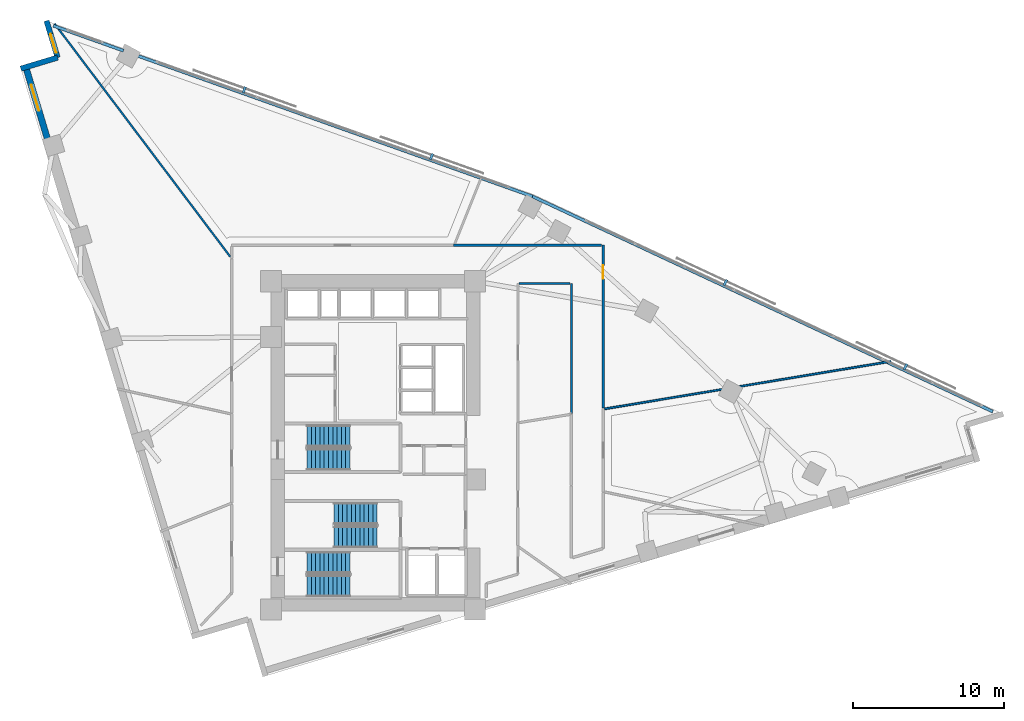
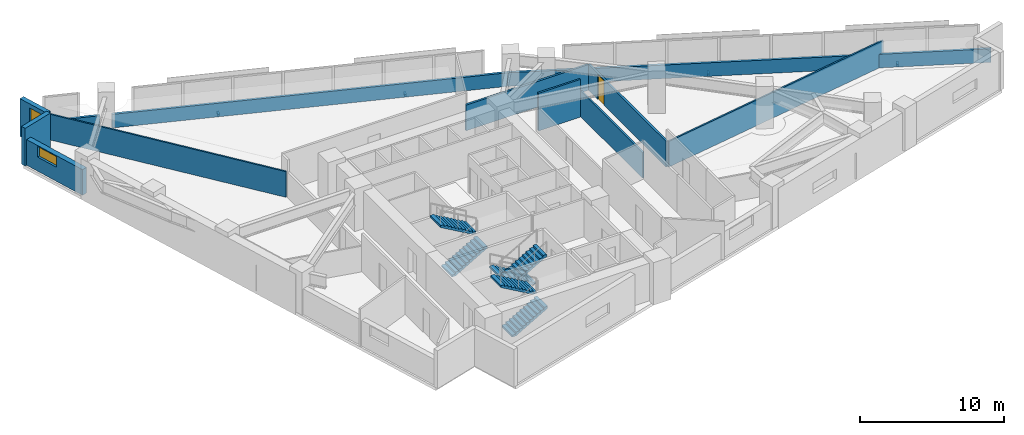
# One storey, part 12 of 14: 12 walls, 6 stair flights, 4 discrete accessories, 2 windows, 1 door, 3 openings, 3 elements without a shape of their own.
"""IFC4 building model written with IfcOpenShell, lengths in metres."""

from ifc_helpers import new_model, si_unit, direction, frame, frame_2d, origin, origin_2d, place, context, subcontext, project, spatial, polyline, rectangle, outline, extrude, material, layer, layer_set, type_object, element, fill, aggregate, save


model = new_model("IFC4")

# Units and contexts
model_context = context("Model", 3, precision=1e-05, world=origin(), true_north=direction((0.0, 1.0)))
body_context = subcontext(model_context, "Body", "Model", "MODEL_VIEW")
ifc_project = project(units=[si_unit("LENGTHUNIT", "METRE"), si_unit("AREAUNIT", "SQUARE_METRE"), si_unit("VOLUMEUNIT", "CUBIC_METRE"), si_unit("PLANEANGLEUNIT", "RADIAN"), si_unit("MASSUNIT", "GRAM", prefix="KILO")], contexts=[model_context])

# Site, building, storey
site_placement = place(None, origin())
site = spatial("IfcSite", under=ifc_project, at=site_placement, CompositionType="ELEMENT")
building_placement = place(site_placement, origin())
building = spatial("IfcBuilding", under=site, at=building_placement, Name="Narakoshi Arena Tower", CompositionType="ELEMENT")
storey_placement = place(building_placement, frame((0.0, 0.0, 161.10009765625)))
storey = spatial("IfcBuildingStorey", under=building, at=storey_placement, Name="L43", CompositionType="ELEMENT", Elevation=161.10009765625)

# Wall, opening, door
ifc_material_1 = material(Name="Gypsum plasterboard fire-rated partition")
ifc_layer_1 = layer(ifc_material_1, 0.1650390625)
ifc_layer_set_1 = layer_set([ifc_layer_1], Name="Gypsum plasterboard fire-rated partition")
wall_type_1 = type_object("IfcWallType", Name="WL-CORR-165", PredefinedType="PARTITIONING", material=ifc_layer_set_1)
wall_1_placement = place(storey_placement, frame((94.050048828125, 48.068603515625, 0.0), z_axis=(0.0, 0.0, 1.0), x_axis=(0.0, 1.0, 0.0)))
wall_1 = element("IfcWall", 1, at=wall_1_placement, inside=storey, type_object=wall_type_1, Name="L43 Corridor Partition 06-1", PredefinedType="PARTITIONING", context=body_context, shape_type="SweptSolid", body=[
    extrude(rectangle(XDim=10.831298828125, YDim=0.1650390625, at=frame_2d((5.41552734375, 0.0))), origin(), (0.0, 0.0, 1.0), 2.177001953125),
])
opening_1_placement = place(wall_1_placement, frame((8.587646484375, 0.0, 0.0)))
opening_1 = element("IfcOpeningElement", 2, at=opening_1_placement, cuts=wall_1, Name="Opening D-08", PredefinedType="OPENING", context=body_context, shape_type="SweptSolid", body=[
    extrude(rectangle(XDim=0.89990234375, YDim=2.10009765625, at=frame_2d((0.449951171875, 1.050048828125))), frame((0.0, 0.092529296875, 0.0), z_axis=(0.0, -1.0, 0.0), x_axis=(1.0, 0.0, 0.0)), (0.0, 0.0, 1.0), 0.18505859375),
])
ifc_material_2 = material(Name="Moisture-resistant laminate timber", Category="wood")
door_type = type_object("IfcDoorType", Name="DR-WC-900", OperationType="NOTDEFINED", PredefinedType="DOOR", material=ifc_material_2)
door_placement = place(opening_1_placement, frame((0.89990234375, 0.0, 0.0), z_axis=(0.0, 0.0, 1.0), x_axis=(-1.0, 0.0, 0.0)))
door = element("IfcDoor", 3, at=door_placement, inside=storey, type_object=door_type, Name="DR-L43-020", OperationType="SINGLE_SWING_RIGHT", OverallHeight=2.10009765625, OverallWidth=0.89990234375, PredefinedType="DOOR", context=body_context, shape_type="SweptSolid", body=[
    extrude(rectangle(XDim=0.89990234375, YDim=2.10009765625, at=frame_2d((0.449951171875, 1.050048828125))), frame((0.0, 0.02490234375, 0.0), z_axis=(0.0, -1.0, 0.0), x_axis=(1.0, 0.0, 0.0)), (0.0, 0.0, 1.0), 0.050048828125),
])
fill(opening_1, door)

# Walls
wall_2_placement = place(storey_placement, frame((93.95556640625, 58.89990234375, 0.0), z_axis=(0.0, 0.0, 1.0), x_axis=(-1.0, 0.0, 0.0)))
element("IfcWall", 4, at=wall_2_placement, inside=storey, type_object=wall_type_1, Name="L43 Corridor Partition 06-2", PredefinedType="PARTITIONING", context=body_context, shape_type="SweptSolid", body=[
    extrude(rectangle(XDim=9.8173828125, YDim=0.1650390625, at=frame_2d((4.90869140625, 0.0))), origin(), (0.0, 0.0, 1.0), 2.177001953125),
])
ifc_material_3 = material(Name="Precast concrete C45/55", Category="concrete")
ifc_layer_2 = layer(ifc_material_3, 0.25)
ifc_layer_set_2 = layer_set([ifc_layer_2], Name="Precast concrete C45/55")
wall_type_2 = type_object("IfcWallType", Name="WL-PARA-250", PredefinedType="PARAPET", material=ifc_layer_set_2)
wall_3_placement = place(storey_placement, frame((119.92578125, 47.843017578125, 0.0), z_axis=(0.0, 0.0, 1.0), x_axis=(-0.905880730846, 0.423532881228, 0.0)))
element("IfcWall", 5, at=wall_3_placement, inside=storey, type_object=wall_type_2, Name="L43 Hypotenuse Sill Upstand Parapet 1-01", PredefinedType="PARAPET", context=body_context, shape_type="SweptSolid", body=[
    extrude(rectangle(XDim=33.74755859375, YDim=0.199951171875, at=frame_2d((16.873779296875, 0.0))), origin(), (0.0, 0.0, 1.0), 1.14990234375),
])
wall_4_placement = place(storey_placement, frame((89.368408203125, 62.13037109375, 0.0), z_axis=(0.0, 0.0, 1.0), x_axis=(-0.942033439765, 0.335518998515, 0.0)))
element("IfcWall", 6, at=wall_4_placement, inside=storey, type_object=wall_type_2, Name="L43 Hypotenuse Sill Upstand Parapet 2-01", PredefinedType="PARAPET", context=body_context, shape_type="SweptSolid", body=[
    extrude(rectangle(XDim=27.969482421875, YDim=0.199951171875, at=frame_2d((13.98486328125, 0.0))), origin(), (0.0, 0.0, 1.0), 1.14990234375),
])
wall_5_placement = place(storey_placement, frame((62.2177734375, 71.800537109375, 0.0), z_axis=(0.0, 0.0, 1.0), x_axis=(-0.942038862895, 0.335503771655, 0.0)))
element("IfcWall", 7, at=wall_5_placement, inside=storey, type_object=wall_type_2, Name="L43 Hypotenuse Sill Upstand Parapet 2-02", PredefinedType="PARAPET", context=body_context, shape_type="SweptSolid", body=[
    extrude(rectangle(XDim=4.941650390625, YDim=0.199951171875, at=frame_2d((2.470703125, 0.0))), origin(), (0.0, 0.0, 1.0), 1.14990234375),
])
ifc_layer_3 = layer(ifc_material_1, 0.125)
ifc_layer_set_3 = layer_set([ifc_layer_3], Name="Gypsum plasterboard fire-rated partition")
wall_type_3 = type_object("IfcWallType", Name="WL-PART-125", PredefinedType="PARTITIONING", material=ifc_layer_set_3)
wall_6_placement = place(storey_placement, frame((94.14453125, 48.024169921875, 0.0), z_axis=(0.0, 0.0, 1.0), x_axis=(0.986512758229, 0.163684384875, 0.0)))
element("IfcWall", 8, at=wall_6_placement, inside=storey, type_object=wall_type_3, Name="L43 Inter-Room Partition 04-06", PredefinedType="PARTITIONING", context=body_context, shape_type="SweptSolid", body=[
    extrude(rectangle(XDim=19.281005859375, YDim=0.125, at=frame_2d((9.640625, 0.0))), origin(), (0.0, 0.0, 1.0), 2.177001953125),
])
wall_7_placement = place(storey_placement, frame((69.305419921875, 58.126220703125, 0.0), z_axis=(0.0, 0.0, 1.0), x_axis=(-0.601965515185, 0.798522083933, 0.0)))
element("IfcWall", 9, at=wall_7_placement, inside=storey, type_object=wall_type_3, Name="L43 Inter-Room Partition 08-09", PredefinedType="PARTITIONING", context=body_context, shape_type="SweptSolid", body=[
    extrude(rectangle(XDim=19.379150390625, YDim=0.125, at=frame_2d((9.689453125, 0.0))), origin(), (0.0, 0.0, 1.0), 2.177001953125),
])

# Wall, opening, window
ifc_layer_4 = layer(ifc_material_3, 0.419921875)
ifc_layer_set_4 = layer_set([ifc_layer_4], Name="Precast concrete C45/55")
wall_type_4 = type_object("IfcWallType", Name="WL-POD-420", PredefinedType="SOLIDWALL", material=ifc_layer_set_4)
wall_8_placement = place(storey_placement, frame((55.734130859375, 70.71142578125, 0.0), z_axis=(0.0, 0.0, 1.0), x_axis=(0.288221590884, -0.957563739157, 0.0)))
wall_8 = element("IfcWall", 10, at=wall_8_placement, inside=storey, type_object=wall_type_4, Name="L43 Architectural Concrete Facade Wall LEGB-1", PredefinedType="SOLIDWALL", context=body_context, shape_type="SweptSolid", body=[
    extrude(rectangle(XDim=5.510986328125, YDim=0.419921875, at=frame_2d((2.75537109375, 0.0))), origin(), (0.0, 0.0, 1.0), 2.177001953125),
])
opening_2_placement = place(wall_8_placement, frame((1.223388671875, 0.0, 1.197021484375)))
opening_2 = element("IfcOpeningElement", 11, at=opening_2_placement, cuts=wall_8, Name="Opening WN-02", PredefinedType="OPENING", context=body_context, shape_type="SweptSolid", body=[
    extrude(rectangle(XDim=1.800048828125, YDim=0.89990234375, at=frame_2d((0.89990234375, 0.449951171875))), frame((0.0, 0.219970703125, 0.0), z_axis=(0.0, -1.0, 0.0), x_axis=(1.0, 0.0, 0.0)), (0.0, 0.0, 1.0), 0.43994140625),
])
ifc_material_4 = material(Name="Bronze-tinted low-E laminated glass", Category="glass")
window_type_1 = type_object("IfcWindowType", Name="WIN-SLT-18x09", PartitioningType="SINGLE_PANEL", PredefinedType="WINDOW", material=ifc_material_4)
window_1_placement = place(opening_2_placement, origin())
window_1 = element("IfcWindow", 12, at=window_1_placement, inside=storey, type_object=window_type_1, Name="L43 LEGB1 Horizontal Slot Window 1", OverallHeight=0.89990234375, OverallWidth=1.800048828125, PartitioningType="SINGLE_PANEL", PredefinedType="WINDOW", context=body_context, shape_type="SweptSolid", body=[
    extrude(rectangle(XDim=1.800048828125, YDim=0.89990234375, at=frame_2d((0.89990234375, 0.449951171875))), frame((0.0, 0.030029296875, 0.0), z_axis=(0.0, -1.0, 0.0), x_axis=(1.0, 0.0, 0.0)), (0.0, 0.0, 1.0), 0.06005859375),
])
fill(opening_2, window_1)

wall_9_placement = place(storey_placement, frame((57.107666015625, 73.790283203125, 0.0), z_axis=(0.0, 0.0, 1.0), x_axis=(0.288198985694, -0.957570542908, 0.0)))
wall_9 = element("IfcWall", 13, at=wall_9_placement, inside=storey, type_object=wall_type_4, Name="L43 Re-Entrant Corner Notch Wall NTN-1", PredefinedType="SOLIDWALL", context=body_context, shape_type="SweptSolid", body=[
    extrude(rectangle(XDim=2.552490234375, YDim=0.360107421875, at=frame_2d((1.2763671875, 0.0))), origin(), (0.0, 0.0, 1.0), 3.199951171875),
])
opening_3_placement = place(wall_9_placement, frame((0.91259765625, 0.0, 0.449951171875)))
opening_3 = element("IfcOpeningElement", 14, at=opening_3_placement, cuts=wall_9, Name="Opening WN-06", PredefinedType="OPENING", context=body_context, shape_type="SweptSolid", body=[
    extrude(rectangle(XDim=1.300048828125, YDim=2.39990234375, at=frame_2d((0.64990234375, 1.199951171875))), frame((0.0, 0.18994140625, 0.0), z_axis=(0.0, -1.0, 0.0), x_axis=(1.0, 0.0, 0.0)), (0.0, 0.0, 1.0), 0.380126953125),
])
window_type_2 = type_object("IfcWindowType", Name="WIN-NTC-16x24", PartitioningType="SINGLE_PANEL", PredefinedType="WINDOW", material=ifc_material_4)
window_2_placement = place(opening_3_placement, origin())
window_2 = element("IfcWindow", 15, at=window_2_placement, inside=storey, type_object=window_type_2, Name="L43 Corner Notch Window NTN", OverallHeight=2.39990234375, OverallWidth=1.300048828125, PartitioningType="SINGLE_PANEL", PredefinedType="WINDOW", context=body_context, shape_type="SweptSolid", body=[
    extrude(rectangle(XDim=1.300048828125, YDim=2.39990234375, at=frame_2d((0.64990234375, 1.199951171875))), frame((0.0, 0.030029296875, 0.0), z_axis=(0.0, -1.0, 0.0), x_axis=(1.0, 0.0, 0.0)), (0.0, 0.0, 1.0), 0.06005859375),
])
fill(opening_3, window_2)

# Walls
wall_10_placement = place(storey_placement, frame((57.84326171875, 71.34619140625, 0.0), z_axis=(0.0, 0.0, 1.0), x_axis=(-0.95757848653, -0.288172590882, 0.0)))
element("IfcWall", 16, at=wall_10_placement, inside=storey, type_object=wall_type_4, Name="L43 Re-Entrant Corner Notch Wall NTN-2", PredefinedType="SOLIDWALL", context=body_context, shape_type="SweptSolid", body=[
    extrude(rectangle(XDim=2.552734375, YDim=0.360107421875, at=frame_2d((1.2763671875, 0.0))), origin(), (0.0, 0.0, 1.0), 3.199951171875),
])
ifc_material_5 = material(Name="Moisture-resistant cement-board partition")
ifc_layer_5 = layer(ifc_material_5, 0.14501953125)
ifc_layer_set_5 = layer_set([ifc_layer_5], Name="Moisture-resistant cement-board partition")
wall_type_5 = type_object("IfcWallType", Name="WL-WET-145", PredefinedType="PARTITIONING", material=ifc_layer_set_5)
wall_11_placement = place(storey_placement, frame((91.949951171875, 56.35009765625, 0.0), z_axis=(0.0, 0.0, 1.0), x_axis=(0.0, -1.0, 0.0)))
element("IfcWall", 17, at=wall_11_placement, inside=storey, type_object=wall_type_5, Name="L43 Corridor Partition 07-2", PredefinedType="PARTITIONING", context=body_context, shape_type="SweptSolid", body=[
    extrude(rectangle(XDim=8.619873046875, YDim=0.14501953125, at=frame_2d((4.31005859375, 0.0))), origin(), (0.0, 0.0, 1.0), 2.177001953125),
])
wall_12_placement = place(storey_placement, frame((88.484619140625, 56.35009765625, 0.0), z_axis=(0.0, 0.0, 1.0), x_axis=(1.0, 0.0, 0.0)))
element("IfcWall", 18, at=wall_12_placement, inside=storey, type_object=wall_type_5, Name="L43 Corridor Partition 07-3", PredefinedType="PARTITIONING", context=body_context, shape_type="SweptSolid", body=[
    extrude(rectangle(XDim=3.380859375, YDim=0.14501953125, at=frame_2d((1.6904296875, 0.0))), origin(), (0.0, 0.0, 1.0), 3.199951171875),
])

# Stair, stair flights
ifc_material_6 = material(Name="Concrete C45/55", Category="concrete")
stair_type = type_object("IfcStairType", Name="STR-CORE-360", PredefinedType="TWO_STRAIGHT_RUN_STAIR", material=ifc_material_6)
stair_1_placement = place(storey_placement, origin())
stair_1 = element("IfcStair", 19, at=stair_1_placement, inside=storey, type_object=stair_type, Name="L43 Core Escape Stair ST1", PredefinedType="TWO_STRAIGHT_RUN_STAIR")
stair_flight_type = type_object("IfcStairFlightType", Name="FLT-145-160", PredefinedType="STRAIGHT", material=ifc_material_3)
stair_flight_1_placement = place(storey_placement, frame((74.39990234375, 36.27490234375, 0.0), z_axis=(0.0, 0.0, 1.0), x_axis=(1.0, 0.0, 0.0)))
stair_flight_1 = element("IfcStairFlight", 20, at=stair_flight_1_placement, type_object=stair_flight_type, Name="ST1 flight 1", NumberOfRisers=11, NumberOfTreads=10, PredefinedType="STRAIGHT", RiserHeight=0.163636364, TreadLength=0.285, context=body_context, shape_type="SweptSolid", body=[
    extrude(outline(polyline([(0.0, 0.0), (0.0, 0.16357421875), (0.284912109375, 0.16357421875), (0.284912109375, 0.327392578125), (0.570068359375, 0.327392578125), (0.570068359375, 0.490966796875), (0.85498046875, 0.490966796875), (0.85498046875, 0.654541015625), (1.139892578125, 0.654541015625), (1.139892578125, 0.818115234375), (1.425048828125, 0.818115234375), (1.425048828125, 0.98193359375), (1.7099609375, 0.98193359375), (1.7099609375, 1.1455078125), (1.9951171875, 1.1455078125), (1.9951171875, 1.30908203125), (2.280029296875, 1.30908203125), (2.280029296875, 1.47265625), (2.56494140625, 1.47265625), (2.56494140625, 1.636474609375), (2.85009765625, 1.636474609375), (2.85009765625, 1.800048828125), (2.85009765625, 1.463623046875), (0.301025390625, 0.0), (0.0, 0.0)])), frame((0.0, 0.72509765625, 0.0), z_axis=(0.0, -1.0, 0.0), x_axis=(1.0, 0.0, 0.0)), (0.0, 0.0, 1.0), 1.449951171875),
])
stair_flight_2_placement = place(storey_placement, frame((77.25, 37.824951171875, 1.7998046875), z_axis=(0.0, 0.0, 1.0), x_axis=(-1.0, 0.0, 0.0)))
stair_flight_2 = element("IfcStairFlight", 21, at=stair_flight_2_placement, type_object=stair_flight_type, Name="ST1 flight 2", NumberOfRisers=11, NumberOfTreads=10, PredefinedType="STRAIGHT", RiserHeight=0.163636364, TreadLength=0.285, context=body_context, shape_type="SweptSolid", body=[
    extrude(outline(polyline([(0.0, 0.0), (0.0, 0.16357421875), (0.284912109375, 0.16357421875), (0.284912109375, 0.327392578125), (0.570068359375, 0.327392578125), (0.570068359375, 0.490966796875), (0.85498046875, 0.490966796875), (0.85498046875, 0.654541015625), (1.139892578125, 0.654541015625), (1.139892578125, 0.818115234375), (1.425048828125, 0.818115234375), (1.425048828125, 0.98193359375), (1.7099609375, 0.98193359375), (1.7099609375, 1.1455078125), (1.9951171875, 1.1455078125), (1.9951171875, 1.30908203125), (2.280029296875, 1.30908203125), (2.280029296875, 1.47265625), (2.56494140625, 1.47265625), (2.56494140625, 1.636474609375), (2.85009765625, 1.636474609375), (2.85009765625, 1.800048828125), (2.85009765625, 1.463623046875), (0.301025390625, 0.0), (0.0, 0.0)])), frame((0.0, 0.72509765625, 0.0), z_axis=(0.0, -1.0, 0.0), x_axis=(1.0, 0.0, 0.0)), (0.0, 0.0, 1.0), 1.449951171875),
])
aggregate(stair_1, [stair_flight_1, stair_flight_2])

stair_2_placement = place(storey_placement, origin())
stair_2 = element("IfcStair", 22, at=stair_2_placement, inside=storey, type_object=stair_type, Name="L43 Core Escape Stair ST2", PredefinedType="TWO_STRAIGHT_RUN_STAIR")
stair_flight_3_placement = place(storey_placement, frame((79.050048828125, 41.074951171875, 0.0), z_axis=(0.0, 0.0, 1.0), x_axis=(-1.0, 0.0, 0.0)))
stair_flight_3 = element("IfcStairFlight", 23, at=stair_flight_3_placement, type_object=stair_flight_type, Name="ST2 flight 1", NumberOfRisers=11, NumberOfTreads=10, PredefinedType="STRAIGHT", RiserHeight=0.163636364, TreadLength=0.285, context=body_context, shape_type="SweptSolid", body=[
    extrude(outline(polyline([(0.0, 0.0), (0.0, 0.16357421875), (0.284912109375, 0.16357421875), (0.284912109375, 0.327392578125), (0.570068359375, 0.327392578125), (0.570068359375, 0.490966796875), (0.85498046875, 0.490966796875), (0.85498046875, 0.654541015625), (1.139892578125, 0.654541015625), (1.139892578125, 0.818115234375), (1.425048828125, 0.818115234375), (1.425048828125, 0.98193359375), (1.7099609375, 0.98193359375), (1.7099609375, 1.1455078125), (1.9951171875, 1.1455078125), (1.9951171875, 1.30908203125), (2.280029296875, 1.30908203125), (2.280029296875, 1.47265625), (2.56494140625, 1.47265625), (2.56494140625, 1.636474609375), (2.85009765625, 1.636474609375), (2.85009765625, 1.800048828125), (2.85009765625, 1.463623046875), (0.301025390625, 0.0), (0.0, 0.0)])), frame((0.0, 0.72509765625, 0.0), z_axis=(0.0, -1.0, 0.0), x_axis=(1.0, 0.0, 0.0)), (0.0, 0.0, 1.0), 1.449951171875),
])
stair_flight_4_placement = place(storey_placement, frame((76.199951171875, 39.52490234375, 1.7998046875), z_axis=(0.0, 0.0, 1.0), x_axis=(1.0, 0.0, 0.0)))
stair_flight_4 = element("IfcStairFlight", 24, at=stair_flight_4_placement, type_object=stair_flight_type, Name="ST2 flight 2", NumberOfRisers=11, NumberOfTreads=10, PredefinedType="STRAIGHT", RiserHeight=0.163636364, TreadLength=0.285, context=body_context, shape_type="SweptSolid", body=[
    extrude(outline(polyline([(0.0, 0.0), (0.0, 0.16357421875), (0.284912109375, 0.16357421875), (0.284912109375, 0.327392578125), (0.570068359375, 0.327392578125), (0.570068359375, 0.490966796875), (0.85498046875, 0.490966796875), (0.85498046875, 0.654541015625), (1.139892578125, 0.654541015625), (1.139892578125, 0.818115234375), (1.425048828125, 0.818115234375), (1.425048828125, 0.98193359375), (1.7099609375, 0.98193359375), (1.7099609375, 1.1455078125), (1.9951171875, 1.1455078125), (1.9951171875, 1.30908203125), (2.280029296875, 1.30908203125), (2.280029296875, 1.47265625), (2.56494140625, 1.47265625), (2.56494140625, 1.636474609375), (2.85009765625, 1.636474609375), (2.85009765625, 1.800048828125), (2.85009765625, 1.463623046875), (0.301025390625, 0.0), (0.0, 0.0)])), frame((0.0, 0.72509765625, 0.0), z_axis=(0.0, -1.0, 0.0), x_axis=(1.0, 0.0, 0.0)), (0.0, 0.0, 1.0), 1.449951171875),
])
aggregate(stair_2, [stair_flight_3, stair_flight_4])

stair_3_placement = place(storey_placement, origin())
stair_3 = element("IfcStair", 25, at=stair_3_placement, inside=storey, type_object=stair_type, Name="L43 Core Escape Stair ST3", PredefinedType="TWO_STRAIGHT_RUN_STAIR")
stair_flight_5_placement = place(storey_placement, frame((74.39990234375, 44.675048828125, 0.0), z_axis=(0.0, 0.0, 1.0), x_axis=(1.0, 0.0, 0.0)))
stair_flight_5 = element("IfcStairFlight", 26, at=stair_flight_5_placement, type_object=stair_flight_type, Name="ST3 flight 1", NumberOfRisers=11, NumberOfTreads=10, PredefinedType="STRAIGHT", RiserHeight=0.163636364, TreadLength=0.285, context=body_context, shape_type="SweptSolid", body=[
    extrude(outline(polyline([(0.0, 0.0), (0.0, 0.16357421875), (0.284912109375, 0.16357421875), (0.284912109375, 0.327392578125), (0.570068359375, 0.327392578125), (0.570068359375, 0.490966796875), (0.85498046875, 0.490966796875), (0.85498046875, 0.654541015625), (1.139892578125, 0.654541015625), (1.139892578125, 0.818115234375), (1.425048828125, 0.818115234375), (1.425048828125, 0.98193359375), (1.7099609375, 0.98193359375), (1.7099609375, 1.1455078125), (1.9951171875, 1.1455078125), (1.9951171875, 1.30908203125), (2.280029296875, 1.30908203125), (2.280029296875, 1.47265625), (2.56494140625, 1.47265625), (2.56494140625, 1.636474609375), (2.85009765625, 1.636474609375), (2.85009765625, 1.800048828125), (2.85009765625, 1.463623046875), (0.301025390625, 0.0), (0.0, 0.0)])), frame((0.0, 0.72509765625, 0.0), z_axis=(0.0, -1.0, 0.0), x_axis=(1.0, 0.0, 0.0)), (0.0, 0.0, 1.0), 1.449951171875),
])
stair_flight_6_placement = place(storey_placement, frame((77.25, 46.22509765625, 1.7998046875), z_axis=(0.0, 0.0, 1.0), x_axis=(-1.0, 0.0, 0.0)))
stair_flight_6 = element("IfcStairFlight", 27, at=stair_flight_6_placement, type_object=stair_flight_type, Name="ST3 flight 2", NumberOfRisers=11, NumberOfTreads=10, PredefinedType="STRAIGHT", RiserHeight=0.163636364, TreadLength=0.285, context=body_context, shape_type="SweptSolid", body=[
    extrude(outline(polyline([(0.0, 0.0), (0.0, 0.16357421875), (0.284912109375, 0.16357421875), (0.284912109375, 0.327392578125), (0.570068359375, 0.327392578125), (0.570068359375, 0.490966796875), (0.85498046875, 0.490966796875), (0.85498046875, 0.654541015625), (1.139892578125, 0.654541015625), (1.139892578125, 0.818115234375), (1.425048828125, 0.818115234375), (1.425048828125, 0.98193359375), (1.7099609375, 0.98193359375), (1.7099609375, 1.1455078125), (1.9951171875, 1.1455078125), (1.9951171875, 1.30908203125), (2.280029296875, 1.30908203125), (2.280029296875, 1.47265625), (2.56494140625, 1.47265625), (2.56494140625, 1.636474609375), (2.85009765625, 1.636474609375), (2.85009765625, 1.800048828125), (2.85009765625, 1.463623046875), (0.301025390625, 0.0), (0.0, 0.0)])), frame((0.0, 0.72509765625, 0.0), z_axis=(0.0, -1.0, 0.0), x_axis=(1.0, 0.0, 0.0)), (0.0, 0.0, 1.0), 1.449951171875),
])
aggregate(stair_3, [stair_flight_5, stair_flight_6])

# Discrete accessories
ifc_material_7 = material(Name="Structural steel S355J2", Category="steel")
discrete_accessory_type = type_object("IfcDiscreteAccessoryType", Name="ACC-BRK-SCR", PredefinedType="BRACKET", material=ifc_material_7)
for number, where, z_axis, x_axis, name in (
    (28, (114.129150390625, 50.818115234375, -0.080078125), (0.0, 0.0, 1.0), (-0.9058795101, 0.423535492234, 0.0), "L43 Solar Screen Support Bracket SHD-L43-SCR1-1"),
    (29, (102.17138671875, 56.40869140625, -0.080078125), (0.0, 0.0, 1.0), (-0.9058795101, 0.423535492234, 0.0), "L43 Solar Screen Support Bracket SHD-L43-SCR1-2"),
    (30, (82.66650390625, 64.772216796875, -0.080078125), (0.0, 0.0, 1.0), (-0.942034031554, 0.33551733695, 0.0), "L43 Solar Screen Support Bracket SHD-L43-SCR2-1"),
    (31, (70.231689453125, 69.200927734375, -0.080078125), (0.0, 0.0, 1.0), (-0.942034031554, 0.33551733695, 0.0), "L43 Solar Screen Support Bracket SHD-L43-SCR2-2"),
):
    element("IfcDiscreteAccessory", number, at=place(storey_placement, frame(where, z_axis=z_axis, x_axis=x_axis)), inside=storey, type_object=discrete_accessory_type, Name=name, PredefinedType="BRACKET", context=body_context, shape_type="SweptSolid", body=[
        extrude(rectangle(XDim=0.159912109375, YDim=0.425048828125, at=origin_2d()), origin(), (0.0, 0.0, 1.0), 0.199951171875),
    ])

save(model, "model.ifc")
